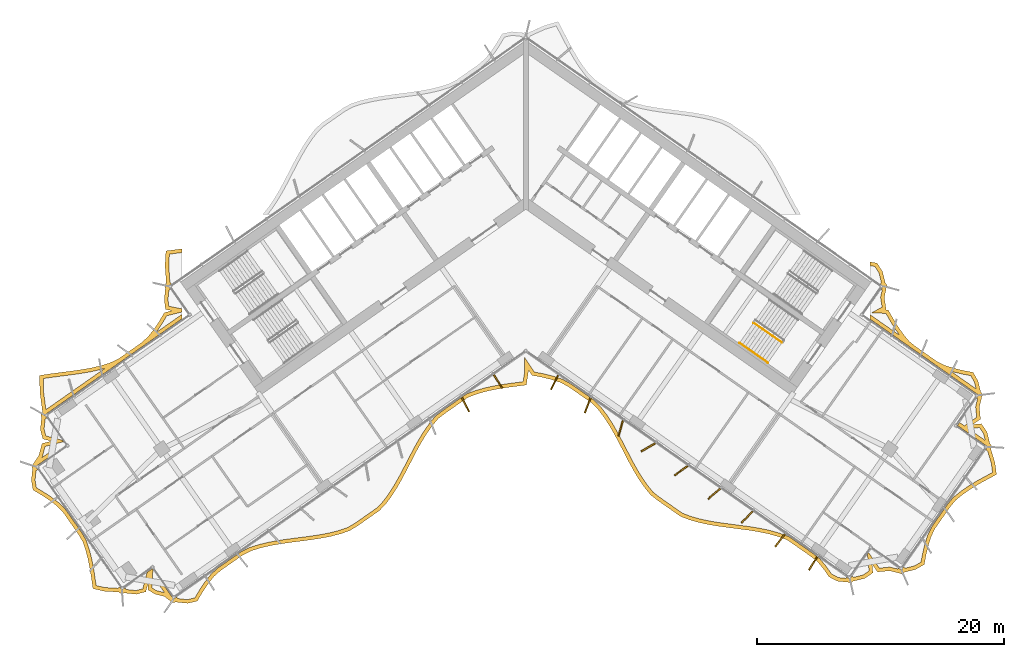
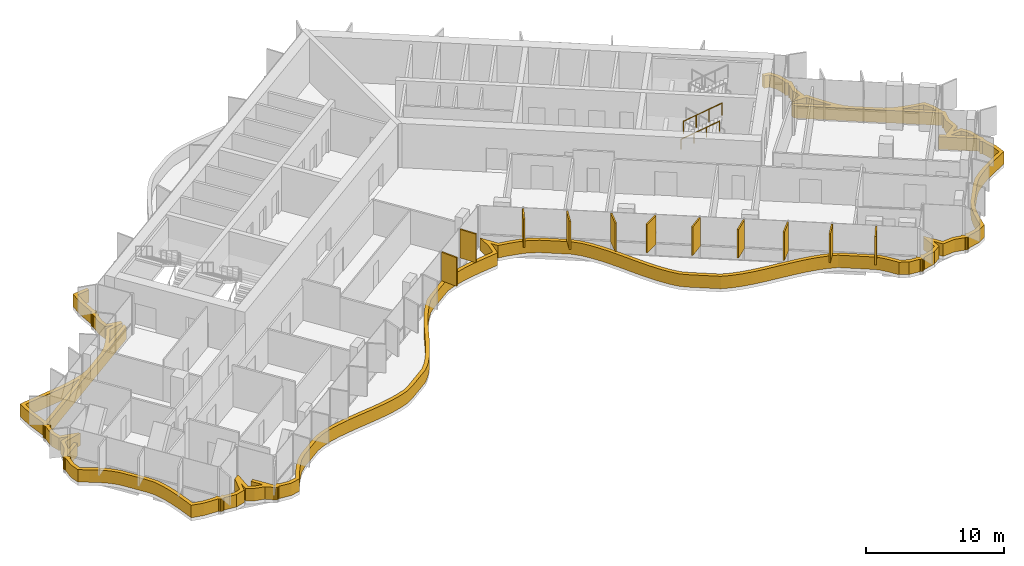
# One storey, part 19 of 21: 12 shading devices, 2 railings.
"""IFC4 building model written with IfcOpenShell, lengths in metres."""

from ifc_helpers import new_model, si_unit, direction, frame, origin, origin_2d, place, context, subcontext, project, spatial, polyline, rectangle, circle, outline, extrude, material, layer, layer_set, type_object, element, save


model = new_model("IFC4")

# Units and contexts
model_context = context("Model", 3, precision=1e-05, world=origin(), true_north=direction((0.0, 1.0)))
body_context = subcontext(model_context, "Body", "Model", "MODEL_VIEW")
ifc_project = project(units=[si_unit("LENGTHUNIT", "METRE"), si_unit("AREAUNIT", "SQUARE_METRE"), si_unit("VOLUMEUNIT", "CUBIC_METRE"), si_unit("PLANEANGLEUNIT", "RADIAN"), si_unit("MASSUNIT", "GRAM", prefix="KILO")], contexts=[model_context])

# Site, building, storey
site_placement = place(None, origin())
site = spatial("IfcSite", under=ifc_project, at=site_placement, CompositionType="ELEMENT")
building_placement = place(site_placement, origin())
building = spatial("IfcBuilding", under=site, at=building_placement, Name="Tel Ilan Convention Tower", CompositionType="ELEMENT")
storey_placement = place(building_placement, frame((0.0, 0.0, 163.199951171875)))
storey = spatial("IfcBuildingStorey", under=building, at=storey_placement, Name="L37", CompositionType="ELEMENT", Elevation=163.199951171875)

# Shading devices
ifc_material_1 = material(Name="Aluminium, bronze anodised", Category="aluminium")
ifc_layer_1 = layer(ifc_material_1, 0.1201171875)
ifc_layer_set_1 = layer_set([ifc_layer_1], Name="FIN BRONZE 1300x120")
shading_device_type_1 = type_object("IfcShadingDeviceType", Name="FIN BRONZE 1300x120", PredefinedType="USERDEFINED", material=ifc_layer_set_1)
for number, where, z_axis, x_axis, name in (
    (1, (-4.893798828125, -17.039794921875, 1.10009765625), (0.0, 0.0, 1.0), (0.448799180206, -0.893632640321, 0.0), "FIN"),
    (2, (-2.2470703125, -15.18701171875, 1.10009765625), (0.0, 0.0, 1.0), (0.533204432798, -0.845986425922, 0.0), "FIN"),
    (3, (2.328857421875, -15.243896484375, 1.10009765625), (0.0, 0.0, 1.0), (-0.448799180206, -0.893632640321, 0.0), "FIN"),
    (4, (5.00830078125, -17.1123046875, 1.10009765625), (0.0, 0.0, 1.0), (-0.360177724803, -0.932883704733, 0.0), "FIN"),
    (5, (7.690185546875, -18.974853515625, 1.10009765625), (0.0, 0.0, 1.0), (-0.268172612768, -0.963370878614, 0.0), "FIN"),
    (6, (9.923583984375, -20.516357421875, 1.10009765625), (0.0, 0.0, 1.0), (-0.866025403784, -0.5, 0.0), "FIN"),
    (7, (12.5859375, -22.403076171875, 1.10009765625), (0.0, 0.0, 1.0), (-0.813552070258, -0.581492071294, 0.0), "FIN"),
    (8, (15.25341796875, -24.2861328125, 1.10009765625), (0.0, 0.0, 1.0), (-0.753435896329, -0.657521368568, 0.0), "FIN"),
    (9, (17.92578125, -26.1650390625, 1.10009765625), (0.0, 0.0, 1.0), (-0.686241637865, -0.727373641577, 0.0), "FIN"),
    (10, (20.60205078125, -28.039306640625, 1.10009765625), (0.0, 0.0, 1.0), (-0.612600545196, -0.790392669516, 0.0), "FIN"),
    (11, (23.27880859375, -29.91357421875, 1.10009765625), (0.0, 0.0, 1.0), (-0.533204432798, -0.845986425922, 0.0), "FIN"),
):
    element("IfcShadingDevice", number, at=place(storey_placement, frame(where, z_axis=z_axis, x_axis=x_axis)), inside=storey, type_object=shading_device_type_1, Name=name, ObjectType="FIN", PredefinedType="USERDEFINED", context=body_context, shape_type="SweptSolid", body=[
        extrude(rectangle(XDim=1.300048828125, YDim=0.1201171875, at=origin_2d()), origin(), (0.0, 0.0, 1.0), 2.52001953125),
    ])
ifc_material_2 = material(Name="Aluminium, bronze anodised", Category="aluminium")
ifc_layer_2 = layer(ifc_material_2, 0.300048828125)
ifc_layer_set_2 = layer_set([ifc_layer_2], Name="LOUVRE BAND 300x1100")
shading_device_type_2 = type_object("IfcShadingDeviceType", Name="LOUVRE BAND 300x1100", PredefinedType="USERDEFINED", material=ifc_layer_set_2)
shading_device_placement = place(storey_placement, origin())
element("IfcShadingDevice", 12, at=shading_device_placement, inside=storey, type_object=shading_device_type_2, Name="LOUVRE BAND 29.01", ObjectType="LOUVRE", PredefinedType="USERDEFINED", context=body_context, shape_type="SweptSolid", body=[
    extrude(outline(polyline([(-40.0625, -23.190673828125), (-39.92822265625, -23.97265625), (-39.250732421875, -24.374267578125), (-38.60546875, -24.798583984375), (-38.006591796875, -25.25537109375), (-37.49755859375, -25.77490234375), (-36.2626953125, -27.53857421875), (-35.8984375, -28.15966796875), (-35.6572265625, -28.86669921875), (-35.46484375, -29.608154296875), (-35.312744140625, -30.377685546875), (-35.189697265625, -31.167724609375), (-35.07666015625, -31.964599609375), (-34.1298828125, -32.177734375), (-32.96484375, -32.238037109375), (-32.93603515625, -32.281494140625), (-32.838623046875, -32.346435546875), (-32.723876953125, -32.369384765625), (-32.609130859375, -32.346435546875), (-32.554931640625, -32.310302734375), (-31.562744140625, -32.420166015625), (-30.788818359375, -32.2177734375), (-30.573974609375, -31.399658203125), (-30.615234375, -32.057861328125), (-30.059814453125, -32.4013671875), (-29.2880859375, -32.593505859375), (-28.79150390625, -32.97802734375), (-28.786865234375, -32.974853515625), (-28.7578125, -33.01806640625), (-28.660400390625, -33.083251953125), (-28.545654296875, -33.10595703125), (-28.430908203125, -33.083251953125), (-28.376953125, -33.047119140625), (-27.396728515625, -33.154296875), (-26.6201171875, -32.970703125), (-26.2060546875, -32.269287109375), (-25.76416015625, -31.607666015625), (-25.286865234375, -30.996826171875), (-24.7294921875, -30.500244140625), (-22.907470703125, -29.224365234375), (-22.2314453125, -28.89697265625), (-21.48779296875, -28.666259765625), (-20.7099609375, -28.484619140625), (-19.905029296875, -28.34130859375), (-19.08251953125, -28.2236328125), (-17.421875, -28.009765625), (-16.60400390625, -27.885009765625), (-15.80712890625, -27.73046875), (-15.039794921875, -27.533935546875), (-14.308837890625, -27.284912109375), (-13.6689453125, -26.906005859375), (-11.846923828125, -25.63037109375), (-11.327880859375, -25.078857421875), (-10.86279296875, -24.4501953125), (-10.43115234375, -23.7744140625), (-10.024658203125, -23.06201171875), (-9.634765625, -22.326171875), (-8.864990234375, -20.84033203125), (-8.46533203125, -20.118408203125), (-8.043212890625, -19.428466796875), (-7.59033203125, -18.782470703125), (-7.10009765625, -18.190185546875), (-6.5087890625, -17.741943359375), (-4.686767578125, -16.466064453125), (-3.97021484375, -16.19677734375), (-3.214599609375, -15.983154296875), (-2.427001953125, -15.8154296875), (-1.615234375, -15.681884765625), (0.04248046875, -15.464111328125), (0.2060546875, -14.405029296875), (0.201416015625, -14.22314453125), (0.51220703125, -14.685546875), (1.31689453125, -14.835693359375), (2.093017578125, -15.0263671875), (2.833251953125, -15.268798828125), (3.490966796875, -15.62890625), (5.322509765625, -16.9111328125), (5.858154296875, -17.445556640625), (6.329833984375, -18.071533203125), (6.76708984375, -18.74658203125), (7.177734375, -19.45947265625), (7.57080078125, -20.197509765625), (8.343994140625, -21.69189453125), (8.744384765625, -22.41943359375), (9.166748046875, -23.11572265625), (9.61962890625, -23.768310546875), (10.110107421875, -24.3671875), (10.698486328125, -24.826171875), (12.530029296875, -26.108642578125), (13.245361328125, -26.386474609375), (14.003662109375, -26.602783203125), (14.794677734375, -26.7724609375), (15.610107421875, -26.9072265625), (18.10791015625, -27.238525390625), (18.924072265625, -27.3720703125), (19.716064453125, -27.54052734375), (20.475830078125, -27.7548828125), (21.19580078125, -28.02587890625), (23.02734375, -29.308349609375), (23.619384765625, -29.76220703125), (24.111328125, -30.35888671875), (24.565673828125, -31.009765625), (25.2314453125, -31.358154296875), (26.083251953125, -31.441162109375), (26.13720703125, -31.47705078125), (26.251953125, -31.5), (26.366943359375, -31.47705078125), (26.464111328125, -31.412109375), (26.4931640625, -31.368896484375), (27.463134765625, -31.132568359375), (28.12109375, -30.677734375), (28.056396484375, -29.976806640625), (28.4951171875, -30.611572265625), (29.47412109375, -30.52099609375), (30.258056640625, -30.708984375), (30.261474609375, -30.704345703125), (30.3154296875, -30.740478515625), (30.43017578125, -30.76318359375), (30.544921875, -30.740478515625), (30.642333984375, -30.67529296875), (30.67138671875, -30.632080078125), (31.5947265625, -30.402587890625), (32.283447265625, -30.0087890625), (32.42919921875, -29.234619140625), (32.607177734375, -28.483154296875), (32.83154296875, -27.764404296875), (33.145751953125, -27.108154296875), (34.380615234375, -25.344482421875), (34.83984375, -24.7900390625), (35.421630859375, -24.3212890625), (36.052734375, -23.88720703125), (36.7236328125, -23.48095703125), (37.423828125, -23.09521484375), (38.134033203125, -22.71630859375), (38.010498046875, -21.753662109375), (37.6689453125, -20.638427734375), (37.705078125, -20.58447265625), (37.727783203125, -20.4697265625), (37.705078125, -20.354736328125), (37.639892578125, -20.257568359375), (37.5966796875, -20.228515625), (37.3603515625, -19.258544921875), (36.905517578125, -18.6005859375), (36.20458984375, -18.665283203125), (36.839599609375, -18.2265625), (36.748779296875, -17.24755859375), (36.936767578125, -16.463623046875), (36.93212890625, -16.460205078125), (36.96826171875, -16.40625), (36.9912109375, -16.29150390625), (36.96826171875, -16.1767578125), (36.9033203125, -16.079345703125), (36.85986328125, -16.05029296875), (36.63134765625, -15.134521484375), (36.246826171875, -14.44140625), (35.47900390625, -14.2958984375), (34.732177734375, -14.1201171875), (34.017333984375, -13.899169921875), (33.361328125, -13.59375), (31.6103515625, -12.36767578125), (31.052978515625, -11.921630859375), (30.5849609375, -11.347900390625), (30.151123046875, -10.72509765625), (29.74560546875, -10.06201171875), (29.356201171875, -9.3759765625), (29.132080078125, -9.36474609375), (29.19384765625, -9.332763671875), (29.044921875, -8.373779296875), (29.20458984375, -7.631103515625), (29.199951171875, -7.6279296875), (29.236083984375, -7.57373046875), (29.2587890625, -7.458984375), (29.236083984375, -7.34423828125), (29.1708984375, -7.246826171875), (29.127685546875, -7.218017578125), (28.894287109375, -6.267333984375), (28.465576171875, -5.595458984375), (27.874755859375, -5.485595703125), (27.874755859375, -5.790771484375), (28.28271484375, -5.86669921875), (28.614990234375, -6.387451171875), (28.806640625, -7.1533203125), (28.713134765625, -7.286865234375), (28.958740234375, -7.458984375), (28.787353515625, -7.705322265625), (28.869384765625, -7.7626953125), (28.73974609375, -8.364990234375), (28.8642578125, -9.165283203125), (28.0048828125, -9.60888671875), (29.1767578125, -9.66748046875), (29.4873046875, -10.21435546875), (29.89990234375, -10.88916015625), (30.281494140625, -11.43701171875), (27.874755859375, -9.751953125), (27.874755859375, -10.1181640625), (36.691162109375, -16.29150390625), (36.51904296875, -16.537109375), (36.597412109375, -16.592041015625), (36.445556640625, -17.225830078125), (36.524658203125, -18.07958984375), (35.524658203125, -18.770751953125), (35.142578125, -18.503173828125), (34.970458984375, -18.748779296875), (37.427734375, -20.4697265625), (37.255859375, -20.71533203125), (37.41650390625, -20.827880859375), (37.716064453125, -21.816650390625), (37.810302734375, -22.549072265625), (36.573486328125, -23.22119140625), (35.889892578125, -23.635009765625), (35.2421875, -24.08056640625), (34.6279296875, -24.575439453125), (34.141845703125, -25.16259765625), (32.8857421875, -26.956298828125), (32.551513671875, -27.654296875), (32.317626953125, -28.40380859375), (32.1357421875, -29.17236328125), (32.014404296875, -29.817138671875), (31.481201171875, -30.121826171875), (30.7353515625, -30.310791015625), (30.602294921875, -30.217529296875), (30.43017578125, -30.46337890625), (30.18408203125, -30.291748046875), (30.129638671875, -30.36962890625), (29.495849609375, -30.2177734375), (28.64208984375, -30.296875), (27.76904296875, -29.03369140625), (27.679443359375, -29.161376953125), (27.806396484375, -30.530517578125), (27.337646484375, -30.8544921875), (26.55810546875, -31.048095703125), (26.424072265625, -30.954345703125), (26.251953125, -31.199951171875), (26.005859375, -31.028564453125), (25.935302734375, -31.129150390625), (25.319580078125, -31.065673828125), (24.76953125, -30.77783203125), (24.3505859375, -30.177490234375), (23.8291015625, -29.544921875), (23.204833984375, -29.06640625), (21.3369140625, -27.758544921875), (20.569580078125, -27.469482421875), (19.7880859375, -27.2490234375), (18.9794921875, -27.077392578125), (18.15234375, -26.941650390625), (15.65478515625, -26.610595703125), (14.8505859375, -26.477783203125), (14.076416015625, -26.3115234375), (13.341064453125, -26.101806640625), (12.67236328125, -25.842041015625), (10.876953125, -24.5849609375), (10.321044921875, -24.1513671875), (9.859375, -23.58740234375), (9.41845703125, -22.9521484375), (9.004150390625, -22.269287109375), (8.608642578125, -21.55029296875), (7.83642578125, -20.058349609375), (7.440185546875, -19.31396484375), (7.02294921875, -18.590087890625), (6.575927734375, -17.8994140625), (6.085205078125, -17.248046875), (5.515869140625, -16.680419921875), (3.649658203125, -15.37353515625), (2.953125, -14.9921875), (2.17578125, -14.73779296875), (1.380126953125, -14.542236328125), (0.69091796875, -14.41357421875), (-0.12451171875, -13.200439453125), (-0.0947265625, -14.3857421875), (-0.219482421875, -15.19482421875), (-1.659912109375, -15.38525390625), (-2.482666015625, -15.5205078125), (-3.286865234375, -15.691650390625), (-4.06396484375, -15.911376953125), (-4.827880859375, -16.198486328125), (-6.685546875, -17.49951171875), (-7.308837890625, -17.97216796875), (-7.8291015625, -18.6005859375), (-8.294189453125, -19.263916015625), (-8.724609375, -19.96728515625), (-9.12939453125, -20.6982421875), (-9.900634765625, -22.1875), (-10.28759765625, -22.91748046875), (-10.68798828125, -23.619140625), (-11.110107421875, -24.280029296875), (-11.55859375, -24.88623046875), (-12.044189453125, -25.40234375), (-13.831787109375, -26.65380859375), (-14.43505859375, -27.010986328125), (-15.12548828125, -27.24609375), (-15.873046875, -27.437744140625), (-16.6552734375, -27.58935546875), (-17.4638671875, -27.712646484375), (-19.12255859375, -27.92626953125), (-19.95263671875, -28.045166015625), (-20.770263671875, -28.190673828125), (-21.56640625, -28.376708984375), (-22.341796875, -28.6171875), (-23.059814453125, -28.96484375), (-24.916015625, -30.264404296875), (-25.506591796875, -30.790771484375), (-26.007568359375, -31.431884765625), (-26.460205078125, -32.109619140625), (-26.8134765625, -32.708251953125), (-27.416015625, -32.8505859375), (-28.206298828125, -32.767578125), (-28.2998046875, -32.634033203125), (-28.545654296875, -32.805908203125), (-29.57861328125, -31.3310546875), (-29.82421875, -31.5029296875), (-29.27490234375, -32.28759765625), (-29.94189453125, -32.12158203125), (-30.3046875, -31.897216796875), (-30.21240234375, -30.42578125), (-30.266357421875, -30.3486328125), (-30.685302734375, -30.641845703125), (-31.034423828125, -31.971923828125), (-31.58544921875, -32.115966796875), (-32.38427734375, -32.03125), (-32.4775390625, -31.89794921875), (-32.723876953125, -32.0693359375), (-32.89599609375, -31.823486328125), (-33.056640625, -31.93603515625), (-34.08837890625, -31.87939453125), (-34.80859375, -31.71728515625), (-35.017333984375, -30.325439453125), (-35.17236328125, -29.54150390625), (-35.36962890625, -28.780517578125), (-35.624267578125, -28.033935546875), (-36.010009765625, -27.376220703125), (-37.265869140625, -25.58251953125), (-37.807373046875, -25.02978515625), (-38.431884765625, -24.5537109375), (-39.091796875, -24.119873046875), (-39.656005859375, -23.78515625), (-39.760009765625, -23.18017578125), (-39.6826171875, -22.41455078125), (-39.54931640625, -22.3212890625), (-39.721435546875, -22.07568359375), (-38.288330078125, -21.072021484375), (-38.460205078125, -20.826416015625), (-39.223388671875, -21.360595703125), (-39.171142578125, -21.28173828125), (-38.953369140625, -20.452392578125), (-37.4677734375, -20.06396484375), (-37.557373046875, -19.93603515625), (-38.88720703125, -19.5869140625), (-39.031494140625, -19.035888671875), (-38.946533203125, -18.237060546875), (-38.812744140625, -18.143310546875), (-38.98486328125, -17.8974609375), (-27.874755859375, -10.1181640625), (-27.874755859375, -9.751953125), (-29.952392578125, -11.20654296875), (-29.906005859375, -11.14794921875), (-29.44873046875, -10.4658203125), (-29.09033203125, -9.859375), (-27.874755859375, -9.551025390625), (-27.874755859375, -9.287353515625), (-28.923828125, -9.080322265625), (-28.992431640625, -8.5439453125), (-28.91943359375, -7.797607421875), (-28.787353515625, -7.705322265625), (-28.958740234375, -7.458984375), (-28.713134765625, -7.286865234375), (-28.83740234375, -7.109375), (-28.93115234375, -5.783447265625), (-28.876953125, -4.86572265625), (-27.874755859375, -4.735107421875), (-27.874755859375, -4.4326171875), (-29.161865234375, -4.60107421875), (-29.231689453125, -5.78515625), (-29.127685546875, -7.218017578125), (-29.1708984375, -7.246826171875), (-29.236083984375, -7.34423828125), (-29.2587890625, -7.458984375), (-29.236083984375, -7.57373046875), (-29.199951171875, -7.6279296875), (-29.29443359375, -8.548583984375), (-29.19384765625, -9.332763671875), (-28.654541015625, -9.439208984375), (-29.284912109375, -9.59912109375), (-29.70263671875, -10.305908203125), (-30.14892578125, -10.971435546875), (-30.631591796875, -11.5849609375), (-31.197998046875, -12.078857421875), (-33.03466796875, -13.364990234375), (-33.72509765625, -13.68212890625), (-34.477783203125, -13.91015625), (-35.2646484375, -14.089111328125), (-36.078125, -14.23046875), (-36.90869140625, -14.34716796875), (-38.58203125, -14.563720703125), (-39.404052734375, -14.692626953125), (-39.369873046875, -16.044677734375), (-39.153564453125, -17.656494140625), (-39.19677734375, -17.685302734375), (-39.261962890625, -17.78271484375), (-39.28466796875, -17.8974609375), (-39.261962890625, -18.01220703125), (-39.225830078125, -18.066162109375), (-39.33544921875, -19.05859375), (-39.133056640625, -19.83251953125), (-38.452392578125, -20.01123046875), (-39.19921875, -20.20654296875), (-39.44873046875, -21.157470703125), (-39.8935546875, -21.829833984375), (-39.890380859375, -21.83447265625), (-39.93359375, -21.863525390625), (-39.99853515625, -21.9609375), (-40.021484375, -22.07568359375), (-39.99853515625, -22.1904296875), (-39.962646484375, -22.244384765625), (-40.0625, -23.190673828125)]), holes=[polyline([(36.758544921875, -18.915283203125), (37.082275390625, -19.384033203125), (37.225830078125, -19.9619140625), (35.85107421875, -18.999267578125), (36.758544921875, -18.915283203125)]), polyline([(34.4267578125, -14.33984375), (34.653564453125, -14.409912109375), (35.416748046875, -14.58935546875), (36.052734375, -14.7099609375), (36.35009765625, -15.24609375), (36.486572265625, -15.781982421875), (34.4267578125, -14.33984375)]), polyline([(-35.205810546875, -14.383544921875), (-34.40087890625, -14.200439453125), (-34.095703125, -14.10791015625), (-38.8798828125, -17.457763671875), (-39.0703125, -16.02099609375), (-39.097412109375, -14.9482421875), (-38.5390625, -14.860595703125), (-36.869140625, -14.64453125), (-36.031494140625, -14.52685546875), (-35.205810546875, -14.383544921875)])]), origin(), (0.0, 0.0, 1.0), 1.10009765625),
])

# Railings
ifc_material_3 = material(Name="Stainless Steel Grade 316", Category="steel")
railing_type_1 = type_object("IfcRailingType", Name="Stainless Steel Stair Guard 1100 mm", PredefinedType="GUARDRAIL", material=ifc_material_3)
railing_1_placement = place(storey_placement, frame((18.4599609375, -10.423095703125, 2.12744140625)))
element("IfcRailing", 13, at=railing_1_placement, inside=storey, type_object=railing_type_1, Name="L37 S4 stair guard 3", PredefinedType="GUARDRAIL", context=body_context, shape_type="SweptSolid", body=[
    extrude(circle(Radius=0.02392578125, at=origin_2d()), frame((0.0, 0.0, 1.076171875), z_axis=(0.692098378994, -0.484653031975, 0.534893701956), x_axis=(0.573608623498, 0.819129505664, 0.0)), (0.0, 0.0, 1.0), 3.314208984375),
    extrude(circle(Radius=0.02099609375, at=origin_2d()), origin(), (0.0, 0.0, 1.0), 1.052001953125),
    extrude(circle(Radius=0.02099609375, at=origin_2d()), frame((0.7646484375, -0.535400390625, 0.5908203125)), (0.0, 0.0, 1.0), 1.052001953125),
    extrude(circle(Radius=0.02099609375, at=origin_2d()), frame((1.529052734375, -1.07080078125, 1.181884765625)), (0.0, 0.0, 1.0), 1.052001953125),
    extrude(circle(Radius=0.02099609375, at=origin_2d()), frame((2.293701171875, -1.606201171875, 1.772705078125)), (0.0, 0.0, 1.0), 1.052001953125),
])
ifc_material_4 = material(Name="Stainless Steel Grade 316", Category="steel")
railing_type_2 = type_object("IfcRailingType", Name="Stainless Steel Stair Handrail 900 mm", PredefinedType="HANDRAIL", material=ifc_material_4)
railing_2_placement = place(storey_placement, frame((17.312744140625, -12.0615234375, 2.12744140625)))
element("IfcRailing", 14, at=railing_2_placement, inside=storey, type_object=railing_type_2, Name="L37 S4 stair handrail 2", PredefinedType="HANDRAIL", context=body_context, shape_type="SweptSolid", body=[
    extrude(circle(Radius=0.02392578125, at=origin_2d()), frame((0.0, 0.0, 0.8759765625), z_axis=(0.692123088272, -0.484596665743, 0.534912798717), x_axis=(0.573550118428, 0.819170471667, 0.0)), (0.0, 0.0, 1.0), 3.31396484375),
    extrude(circle(Radius=0.02099609375, at=origin_2d()), origin(), (0.0, 0.0, 1.0), 0.851806640625),
    extrude(circle(Radius=0.02099609375, at=origin_2d()), frame((0.7646484375, -0.535400390625, 0.5908203125)), (0.0, 0.0, 1.0), 0.851806640625),
    extrude(circle(Radius=0.02099609375, at=origin_2d()), frame((1.529052734375, -1.070556640625, 1.181884765625)), (0.0, 0.0, 1.0), 0.851806640625),
    extrude(circle(Radius=0.02099609375, at=origin_2d()), frame((2.293701171875, -1.60595703125, 1.772705078125)), (0.0, 0.0, 1.0), 0.851806640625),
])

save(model, "model.ifc")
